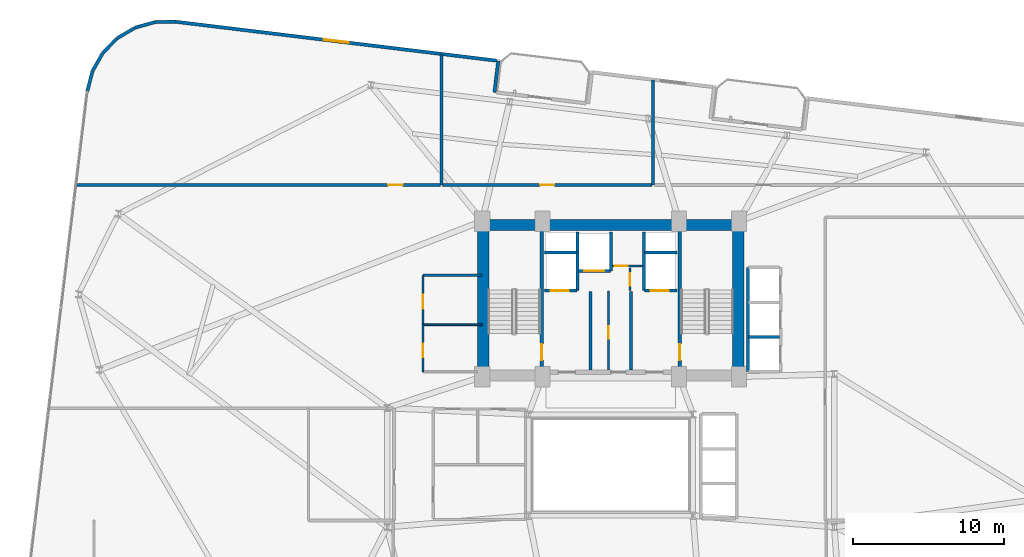
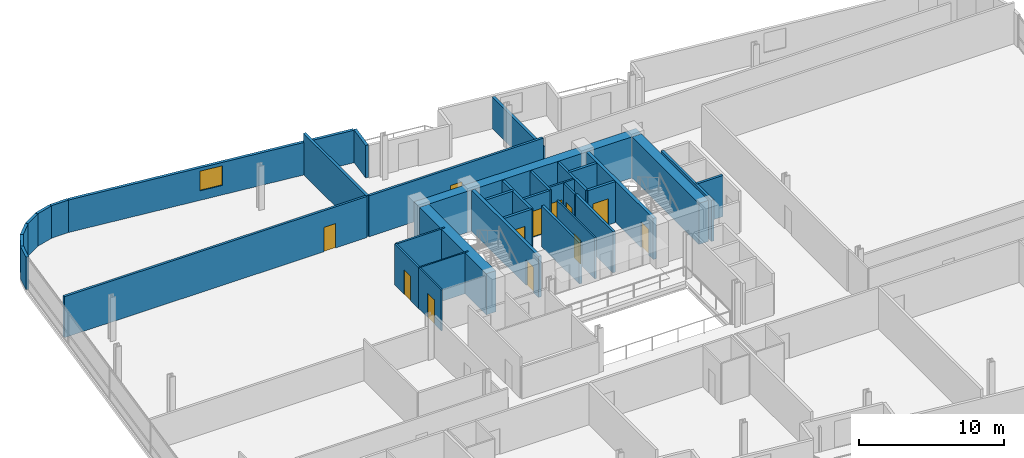
# One storey, part 22 of 25: 36 walls, 12 doors, 1 window, 13 openings.
"""IFC4 building model written with IfcOpenShell, lengths in metres."""

from ifc_helpers import new_model, si_unit, direction, frame, frame_2d, origin, place, context, subcontext, project, spatial, rectangle, extrude, material, layer, layer_set, type_object, element, fill, save


model = new_model("IFC4")

# Units and contexts
model_context = context("Model", 3, precision=1e-05, world=origin(), true_north=direction((0.0, 1.0)))
body_context = subcontext(model_context, "Body", "Model", "MODEL_VIEW")
ifc_project = project(units=[si_unit("LENGTHUNIT", "METRE"), si_unit("AREAUNIT", "SQUARE_METRE"), si_unit("VOLUMEUNIT", "CUBIC_METRE"), si_unit("PLANEANGLEUNIT", "RADIAN"), si_unit("MASSUNIT", "GRAM", prefix="KILO")], contexts=[model_context])

# Site, building, storey
site_placement = place(None, origin())
site = spatial("IfcSite", under=ifc_project, at=site_placement, CompositionType="ELEMENT")
building_placement = place(site_placement, origin())
building = spatial("IfcBuilding", under=site, at=building_placement, Name="Varnelok Gate Tower", CompositionType="ELEMENT")
storey_placement = place(building_placement, frame((0.0, 0.0, 140.199951171875)))
storey = spatial("IfcBuildingStorey", under=building, at=storey_placement, Name="L35", CompositionType="ELEMENT", Elevation=140.199951171875)

# Wall
ifc_material_1 = material(Name="Concrete C45/55", Category="concrete")
ifc_layer_1 = layer(ifc_material_1, 0.219970703125)
ifc_layer_set_1 = layer_set([ifc_layer_1], Name="Concrete C45/55")
wall_type_1 = type_object("IfcWallType", Name="EW-BALC-220", PredefinedType="SOLIDWALL", material=ifc_layer_set_1)
wall_1_placement = place(storey_placement, frame((31.50390625, 47.568115234375, 0.0), z_axis=(0.0, 0.0, 1.0), x_axis=(0.120341784665, 0.992732519294, 0.0)))
element("IfcWall", 1, at=wall_1_placement, inside=storey, type_object=wall_type_1, Name="L35 Perimeter Facade Closure Wall 31", PredefinedType="SOLIDWALL", context=body_context, shape_type="SweptSolid", body=[
    extrude(rectangle(XDim=2.099853515625, YDim=0.219970703125, at=frame_2d((1.0498046875, 0.0))), origin(), (0.0, 0.0, 1.0), 2.72998046875),
])

# Wall, opening, window
wall_2_placement = place(storey_placement, frame((31.632568359375, 49.667724609375, 0.0), z_axis=(0.0, 0.0, 1.0), x_axis=(-0.992731670483, 0.120348786531, 0.0)))
wall_2 = element("IfcWall", 2, at=wall_2_placement, inside=storey, type_object=wall_type_1, Name="L35 Perimeter Facade Closure Wall 32", PredefinedType="SOLIDWALL", context=body_context, shape_type="SweptSolid", body=[
    extrude(rectangle(XDim=21.34716796875, YDim=0.219970703125, at=frame_2d((10.673583984375, 0.0))), origin(), (0.0, 0.0, 1.0), 2.72998046875),
])
opening_1_placement = place(wall_2_placement, frame((9.8486328125, 0.0, 0.800048828125)))
opening_1 = element("IfcOpeningElement", 3, at=opening_1_placement, cuts=wall_2, Name="Opening WN3", PredefinedType="OPENING", context=body_context, shape_type="SweptSolid", body=[
    extrude(rectangle(XDim=1.64990234375, YDim=1.64990234375, at=frame_2d((0.824951171875, 0.824951171875))), frame((0.0, 0.119873046875, 0.0), z_axis=(0.0, -1.0, 0.0), x_axis=(1.0, 0.0, 0.0)), (0.0, 0.0, 1.0), 0.239990234375),
])
ifc_material_2 = material(Name="Low-E Laminated Double Glazing IGU", Category="glass")
window_type = type_object("IfcWindowType", Name="WN-HTL-1650", PartitioningType="SINGLE_PANEL", PredefinedType="WINDOW", material=ifc_material_2)
window_placement = place(opening_1_placement, origin())
window = element("IfcWindow", 4, at=window_placement, inside=storey, type_object=window_type, Name="L35 Perimeter Vision Window 32", OverallHeight=1.64990234375, OverallWidth=1.64990234375, PartitioningType="SINGLE_PANEL", PredefinedType="WINDOW", context=body_context, shape_type="SweptSolid", body=[
    extrude(rectangle(XDim=1.64990234375, YDim=1.64990234375, at=frame_2d((0.824951171875, 0.824951171875))), frame((0.0, 0.030029296875, 0.0), z_axis=(0.0, -1.0, 0.0), x_axis=(1.0, 0.0, 0.0)), (0.0, 0.0, 1.0), 0.06005859375),
])
fill(opening_1, window)

# Walls
wall_3_placement = place(storey_placement, frame((10.41552734375, 52.236572265625, 0.0), z_axis=(0.0, 0.0, 1.0), x_axis=(-0.999947718056, -0.010225514878, 0.0)))
element("IfcWall", 5, at=wall_3_placement, inside=storey, type_object=wall_type_1, Name="L35 Perimeter Facade Closure Wall 33", PredefinedType="SOLIDWALL", context=body_context, shape_type="SweptSolid", body=[
    extrude(rectangle(XDim=1.36083984375, YDim=0.219970703125, at=frame_2d((0.680419921875, 0.0))), origin(), (0.0, 0.0, 1.0), 2.72998046875),
])
for number, where, z_axis, x_axis, name in (
    (6, (9.030517578125, 52.2158203125, 0.0), (0.0, 0.0, 1.0), (-0.963227802828, -0.268686061898, 0.0), "L35 Perimeter Facade Closure Wall 34"),
    (7, (7.70556640625, 51.839599609375, 0.0), (0.0, 0.0, 1.0), (-0.860739665837, -0.509045408244, 0.0), "L35 Perimeter Facade Closure Wall 35"),
):
    element("IfcWall", number, at=place(storey_placement, frame(where, z_axis=z_axis, x_axis=x_axis)), inside=storey, type_object=wall_type_1, Name=name, PredefinedType="SOLIDWALL", context=body_context, shape_type="SweptSolid", body=[
        extrude(rectangle(XDim=1.35302734375, YDim=0.219970703125, at=frame_2d((0.676513671875, 0.0))), origin(), (0.0, 0.0, 1.0), 2.72998046875),
    ])
wall_4_placement = place(storey_placement, frame((6.5234375, 51.13330078125, 0.0), z_axis=(0.0, 0.0, 1.0), x_axis=(-0.699762925925, -0.714375144795, 0.0)))
element("IfcWall", 8, at=wall_4_placement, inside=storey, type_object=wall_type_1, Name="L35 Perimeter Facade Closure Wall 36", PredefinedType="SOLIDWALL", context=body_context, shape_type="SweptSolid", body=[
    extrude(rectangle(XDim=1.353271484375, YDim=0.219970703125, at=frame_2d((0.6767578125, 0.0))), origin(), (0.0, 0.0, 1.0), 2.72998046875),
])
wall_5_placement = place(storey_placement, frame((5.564208984375, 50.144775390625, 0.0), z_axis=(0.0, 0.0, 1.0), x_axis=(-0.491117621399, -0.871093268227, 0.0)))
element("IfcWall", 9, at=wall_5_placement, inside=storey, type_object=wall_type_1, Name="L35 Perimeter Facade Closure Wall 37", PredefinedType="SOLIDWALL", context=body_context, shape_type="SweptSolid", body=[
    extrude(rectangle(XDim=1.35302734375, YDim=0.219970703125, at=frame_2d((0.676513671875, 0.0))), origin(), (0.0, 0.0, 1.0), 2.72998046875),
])
wall_6_placement = place(storey_placement, frame((4.8935546875, 48.94189453125, 0.0), z_axis=(0.0, 0.0, 1.0), x_axis=(-0.248857256909, -0.968540172468, 0.0)))
element("IfcWall", 10, at=wall_6_placement, inside=storey, type_object=wall_type_1, Name="L35 Perimeter Facade Closure Wall 38", PredefinedType="SOLIDWALL", context=body_context, shape_type="SweptSolid", body=[
    extrude(rectangle(XDim=1.352783203125, YDim=0.219970703125, at=frame_2d((0.67626953125, 0.0))), origin(), (0.0, 0.0, 1.0), 2.72998046875),
])

# Wall, opening, door
ifc_material_3 = material(Name="Gypsum Plasterboard Acoustic Partition", Category="gypsum")
ifc_layer_2 = layer(ifc_material_3, 0.179931640625)
ifc_layer_set_2 = layer_set([ifc_layer_2], Name="Gypsum Plasterboard Acoustic Partition")
wall_type_2 = type_object("IfcWallType", Name="PW-CORR-180", PredefinedType="PARTITIONING", material=ifc_layer_set_2)
wall_7_placement = place(storey_placement, frame((3.864013671875, 41.429931640625, 0.0), z_axis=(0.0, 0.0, 1.0), x_axis=(1.0, 0.0, 0.0)))
wall_7 = element("IfcWall", 11, at=wall_7_placement, inside=storey, type_object=wall_type_2, Name="Interior Partition", PredefinedType="PARTITIONING", context=body_context, shape_type="SweptSolid", body=[
    extrude(rectangle(XDim=24.055908203125, YDim=0.179931640625, at=frame_2d((12.02783203125, 0.0))), origin(), (0.0, 0.0, 1.0), 3.449951171875),
])
opening_2_placement = place(wall_7_placement, frame((20.61083984375, 0.0, 0.0)))
opening_2 = element("IfcOpeningElement", 12, at=opening_2_placement, cuts=wall_7, Name="Opening D-I2", PredefinedType="OPENING", context=body_context, shape_type="SweptSolid", body=[
    extrude(rectangle(XDim=0.949951171875, YDim=2.050048828125, at=frame_2d((0.47509765625, 1.02490234375))), frame((0.0, 0.099853515625, 0.0), z_axis=(0.0, -1.0, 0.0), x_axis=(1.0, 0.0, 0.0)), (0.0, 0.0, 1.0), 0.199951171875),
])
ifc_material_4 = material(Name="Engineered Hardwood Timber", Category="wood")
door_type_1 = type_object("IfcDoorType", Name="DR-INT-950", OperationType="NOTDEFINED", PredefinedType="DOOR", material=ifc_material_4)
door_1_placement = place(opening_2_placement, origin())
door_1 = element("IfcDoor", 13, at=door_1_placement, inside=storey, type_object=door_type_1, Name="L35 Executive Business Office 1 Door", OperationType="SINGLE_SWING_LEFT", OverallHeight=2.050048828125, OverallWidth=0.949951171875, PredefinedType="DOOR", context=body_context, shape_type="SweptSolid", body=[
    extrude(rectangle(XDim=0.949951171875, YDim=2.050048828125, at=frame_2d((0.47509765625, 1.02490234375))), frame((0.0, 0.02490234375, 0.0), z_axis=(0.0, -1.0, 0.0), x_axis=(1.0, 0.0, 0.0)), (0.0, 0.0, 1.0), 0.050048828125),
])
fill(opening_2, door_1)

wall_8_placement = place(storey_placement, frame((28.080078125, 41.429931640625, 0.0), z_axis=(0.0, 0.0, 1.0), x_axis=(1.0, 0.0, 0.0)))
wall_8 = element("IfcWall", 14, at=wall_8_placement, inside=storey, type_object=wall_type_2, Name="Interior Partition", PredefinedType="PARTITIONING", context=body_context, shape_type="SweptSolid", body=[
    extrude(rectangle(XDim=13.83984375, YDim=0.179931640625, at=frame_2d((6.919921875, 0.0))), origin(), (0.0, 0.0, 1.0), 3.449951171875),
])
opening_3_placement = place(wall_8_placement, frame((6.445068359375, 0.0, 0.0)))
opening_3 = element("IfcOpeningElement", 15, at=opening_3_placement, cuts=wall_8, Name="Opening D-I2", PredefinedType="OPENING", context=body_context, shape_type="SweptSolid", body=[
    extrude(rectangle(XDim=0.949951171875, YDim=2.050048828125, at=frame_2d((0.47509765625, 1.02490234375))), frame((0.0, 0.099853515625, 0.0), z_axis=(0.0, -1.0, 0.0), x_axis=(1.0, 0.0, 0.0)), (0.0, 0.0, 1.0), 0.199951171875),
])
door_2_placement = place(opening_3_placement, origin())
door_2 = element("IfcDoor", 16, at=door_2_placement, inside=storey, type_object=door_type_1, Name="L35 Executive Business Office 2 Door", OperationType="SINGLE_SWING_LEFT", OverallHeight=2.050048828125, OverallWidth=0.949951171875, PredefinedType="DOOR", context=body_context, shape_type="SweptSolid", body=[
    extrude(rectangle(XDim=0.949951171875, YDim=2.050048828125, at=frame_2d((0.47509765625, 1.02490234375))), frame((0.0, 0.02490234375, 0.0), z_axis=(0.0, -1.0, 0.0), x_axis=(1.0, 0.0, 0.0)), (0.0, 0.0, 1.0), 0.050048828125),
])
fill(opening_3, door_2)

# Wall
ifc_layer_3 = layer(ifc_material_3, 0.114990234375)
ifc_layer_set_3 = layer_set([ifc_layer_3], Name="Gypsum Plasterboard Acoustic Partition")
wall_type_3 = type_object("IfcWallType", Name="PW-ENS-125", PredefinedType="PARTITIONING", material=ifc_layer_set_3)
wall_9_placement = place(storey_placement, frame((26.800048828125, 32.18994140625, 0.0), z_axis=(0.0, 0.0, 1.0), x_axis=(1.0, 0.0, 0.0)))
element("IfcWall", 17, at=wall_9_placement, inside=storey, type_object=wall_type_3, Name="Interior Partition", PredefinedType="PARTITIONING", context=body_context, shape_type="SweptSolid", body=[
    extrude(rectangle(XDim=3.8798828125, YDim=0.114990234375, at=frame_2d((1.93994140625, 0.0))), origin(), (0.0, 0.0, 1.0), 3.449951171875),
])

# Wall, opening, door
wall_10_placement = place(storey_placement, frame((26.780029296875, 29.080078125, 0.0), z_axis=(0.0, 0.0, 1.0), x_axis=(0.0, 1.0, 0.0)))
wall_10 = element("IfcWall", 18, at=wall_10_placement, inside=storey, type_object=wall_type_3, Name="Interior Partition", PredefinedType="PARTITIONING", context=body_context, shape_type="SweptSolid", body=[
    extrude(rectangle(XDim=3.10986328125, YDim=0.114990234375, at=frame_2d((1.554931640625, 0.0))), origin(), (0.0, 0.0, 1.0), 3.449951171875),
])
opening_4_placement = place(wall_10_placement, frame((0.949951171875, 0.0, 0.0)))
opening_4 = element("IfcOpeningElement", 19, at=opening_4_placement, cuts=wall_10, Name="Opening D-WC", PredefinedType="OPENING", context=body_context, shape_type="SweptSolid", body=[
    extrude(rectangle(XDim=0.89990234375, YDim=2.050048828125, at=frame_2d((0.449951171875, 1.02490234375))), frame((0.0, 0.0673828125, 0.0), z_axis=(0.0, -1.0, 0.0), x_axis=(1.0, 0.0, 0.0)), (0.0, 0.0, 1.0), 0.135009765625),
])
door_type_2 = type_object("IfcDoorType", Name="DR-BATH-900", OperationType="NOTDEFINED", PredefinedType="DOOR", material=ifc_material_4)
door_3_placement = place(opening_4_placement, origin())
door_3 = element("IfcDoor", 20, at=door_3_placement, inside=storey, type_object=door_type_2, Name="L35 Core Floor WC Door", OperationType="SINGLE_SWING_LEFT", OverallHeight=2.050048828125, OverallWidth=0.89990234375, PredefinedType="DOOR", context=body_context, shape_type="SweptSolid", body=[
    extrude(rectangle(XDim=0.89990234375, YDim=2.050048828125, at=frame_2d((0.449951171875, 1.02490234375))), frame((0.0, 0.02490234375, 0.0), z_axis=(0.0, -1.0, 0.0), x_axis=(1.0, 0.0, 0.0)), (0.0, 0.0, 1.0), 0.050048828125),
])
fill(opening_4, door_3)

ifc_layer_4 = layer(ifc_material_3, 0.125)
ifc_layer_set_4 = layer_set([ifc_layer_4], Name="Gypsum Plasterboard Acoustic Partition")
wall_type_4 = type_object("IfcWallType", Name="PW-PART-125", PredefinedType="PARTITIONING", material=ifc_layer_set_4)
wall_11_placement = place(storey_placement, frame((39.050048828125, 29.199951171875, 0.0), z_axis=(0.0, 0.0, 1.0), x_axis=(0.0, 1.0, 0.0)))
wall_11 = element("IfcWall", 21, at=wall_11_placement, inside=storey, type_object=wall_type_4, Name="Interior Partition", PredefinedType="PARTITIONING", context=body_context, shape_type="SweptSolid", body=[
    extrude(rectangle(XDim=5.219970703125, YDim=0.125, at=frame_2d((2.60986328125, 0.0))), origin(), (0.0, 0.0, 1.0), 3.449951171875),
])
opening_5_placement = place(wall_11_placement, frame((2.050048828125, 0.0, 0.0)))
opening_5 = element("IfcOpeningElement", 22, at=opening_5_placement, cuts=wall_11, Name="Opening D-RS", PredefinedType="OPENING", context=body_context, shape_type="SweptSolid", body=[
    extrude(rectangle(XDim=0.85009765625, YDim=2.050048828125, at=frame_2d((0.425048828125, 1.02490234375))), frame((0.0, 0.072509765625, 0.0), z_axis=(0.0, -1.0, 0.0), x_axis=(1.0, 0.0, 0.0)), (0.0, 0.0, 1.0), 0.14501953125),
])
ifc_material_5 = material(Name="Galvanized Steel Grade S350GD", Category="steel")
door_type_3 = type_object("IfcDoorType", Name="DR-RISER-850", OperationType="NOTDEFINED", PredefinedType="DOOR", material=ifc_material_5)
door_4_placement = place(opening_5_placement, origin())
door_4 = element("IfcDoor", 23, at=door_4_placement, inside=storey, type_object=door_type_3, Name="L35 Housekeeping Linen Door", OperationType="SINGLE_SWING_LEFT", OverallHeight=2.050048828125, OverallWidth=0.85009765625, PredefinedType="DOOR", context=body_context, shape_type="SweptSolid", body=[
    extrude(rectangle(XDim=0.85009765625, YDim=2.050048828125, at=frame_2d((0.425048828125, 1.02490234375))), frame((0.0, 0.02490234375, 0.0), z_axis=(0.0, -1.0, 0.0), x_axis=(1.0, 0.0, 0.0)), (0.0, 0.0, 1.0), 0.050048828125),
])
fill(opening_5, door_4)

ifc_layer_5 = layer(ifc_material_3, 0.14990234375)
ifc_layer_set_5 = layer_set([ifc_layer_5], Name="Gypsum Plasterboard Acoustic Partition")
wall_type_5 = type_object("IfcWallType", Name="PW-PART-150", PredefinedType="PARTITIONING", material=ifc_layer_set_5)
wall_12_placement = place(storey_placement, frame((39.300048828125, 36.080078125, 0.0), z_axis=(0.0, 0.0, 1.0), x_axis=(1.0, 0.0, 0.0)))
wall_12 = element("IfcWall", 24, at=wall_12_placement, inside=storey, type_object=wall_type_5, Name="L35 Electrical Closet South Wall", PredefinedType="PARTITIONING", context=body_context, shape_type="SweptSolid", body=[
    extrude(rectangle(XDim=2.02001953125, YDim=0.14990234375, at=frame_2d((1.010009765625, 0.0))), origin(), (0.0, 0.0, 1.0), 3.449951171875),
])
opening_6_placement = place(wall_12_placement, frame((0.179931640625, 0.0, 0.0)))
opening_6 = element("IfcOpeningElement", 25, at=opening_6_placement, cuts=wall_12, Name="Opening D-RS", PredefinedType="OPENING", context=body_context, shape_type="SweptSolid", body=[
    extrude(rectangle(XDim=0.85009765625, YDim=2.050048828125, at=frame_2d((0.425048828125, 1.02490234375))), frame((0.0, 0.0849609375, 0.0), z_axis=(0.0, -1.0, 0.0), x_axis=(1.0, 0.0, 0.0)), (0.0, 0.0, 1.0), 0.169921875),
])
door_5_placement = place(opening_6_placement, origin())
door_5 = element("IfcDoor", 26, at=door_5_placement, inside=storey, type_object=door_type_3, Name="L35 Electrical Closet Door", OperationType="SINGLE_SWING_RIGHT", OverallHeight=2.050048828125, OverallWidth=0.85009765625, PredefinedType="DOOR", context=body_context, shape_type="SweptSolid", body=[
    extrude(rectangle(XDim=0.85009765625, YDim=2.050048828125, at=frame_2d((0.425048828125, 1.02490234375))), frame((0.0, 0.02490234375, 0.0), z_axis=(0.0, -1.0, 0.0), x_axis=(1.0, 0.0, 0.0)), (0.0, 0.0, 1.0), 0.050048828125),
])
fill(opening_6, door_5)

wall_13_placement = place(storey_placement, frame((40.47998046875, 34.43994140625, 0.0), z_axis=(0.0, 0.0, 1.0), x_axis=(0.0, 1.0, 0.0)))
wall_13 = element("IfcWall", 27, at=wall_13_placement, inside=storey, type_object=wall_type_5, Name="L35 Telecoms Closet West Wall", PredefinedType="PARTITIONING", context=body_context, shape_type="SweptSolid", body=[
    extrude(rectangle(XDim=1.52001953125, YDim=0.14990234375, at=frame_2d((0.760009765625, 0.0))), origin(), (0.0, 0.0, 1.0), 3.449951171875),
])
opening_7_placement = place(wall_13_placement, frame((0.320068359375, 0.0, 0.0)))
opening_7 = element("IfcOpeningElement", 28, at=opening_7_placement, cuts=wall_13, Name="Opening D-RS", PredefinedType="OPENING", context=body_context, shape_type="SweptSolid", body=[
    extrude(rectangle(XDim=0.85009765625, YDim=2.050048828125, at=frame_2d((0.425048828125, 1.02490234375))), frame((0.0, 0.0849609375, 0.0), z_axis=(0.0, -1.0, 0.0), x_axis=(1.0, 0.0, 0.0)), (0.0, 0.0, 1.0), 0.169921875),
])
door_6_placement = place(opening_7_placement, origin())
door_6 = element("IfcDoor", 29, at=door_6_placement, inside=storey, type_object=door_type_3, Name="L35 Telecoms Closet Door", OperationType="SINGLE_SWING_LEFT", OverallHeight=2.050048828125, OverallWidth=0.85009765625, PredefinedType="DOOR", context=body_context, shape_type="SweptSolid", body=[
    extrude(rectangle(XDim=0.85009765625, YDim=2.050048828125, at=frame_2d((0.425048828125, 1.02490234375))), frame((0.0, 0.02490234375, 0.0), z_axis=(0.0, -1.0, 0.0), x_axis=(1.0, 0.0, 0.0)), (0.0, 0.0, 1.0), 0.050048828125),
])
fill(opening_7, door_6)

# Wall
wall_14_placement = place(storey_placement, frame((26.780029296875, 35.4599609375, 0.0), z_axis=(0.0, 0.0, 1.0), x_axis=(1.0, 0.0, 0.0)))
element("IfcWall", 30, at=wall_14_placement, inside=storey, type_object=wall_type_5, Name="Interior Partition", PredefinedType="PARTITIONING", context=body_context, shape_type="SweptSolid", body=[
    extrude(rectangle(XDim=3.89990234375, YDim=0.14990234375, at=frame_2d((1.949951171875, 0.0))), origin(), (0.0, 0.0, 1.0), 3.449951171875),
])

# Wall, opening, door
wall_15_placement = place(storey_placement, frame((26.780029296875, 32.18994140625, 0.0), z_axis=(0.0, 0.0, 1.0), x_axis=(0.0, 1.0, 0.0)))
wall_15 = element("IfcWall", 31, at=wall_15_placement, inside=storey, type_object=wall_type_5, Name="Interior Partition", PredefinedType="PARTITIONING", context=body_context, shape_type="SweptSolid", body=[
    extrude(rectangle(XDim=3.27001953125, YDim=0.14990234375, at=frame_2d((1.635009765625, 0.0))), origin(), (0.0, 0.0, 1.0), 3.449951171875),
])
opening_8_placement = place(wall_15_placement, frame((1.050048828125, 0.0, 0.0)))
opening_8 = element("IfcOpeningElement", 32, at=opening_8_placement, cuts=wall_15, Name="Opening D-I3", PredefinedType="OPENING", context=body_context, shape_type="SweptSolid", body=[
    extrude(rectangle(XDim=0.919921875, YDim=2.050048828125, at=frame_2d((0.4599609375, 1.02490234375))), frame((0.0, 0.0849609375, 0.0), z_axis=(0.0, -1.0, 0.0), x_axis=(1.0, 0.0, 0.0)), (0.0, 0.0, 1.0), 0.169921875),
])
door_type_4 = type_object("IfcDoorType", Name="DR-INT-920", OperationType="NOTDEFINED", PredefinedType="DOOR", material=ifc_material_4)
door_7_placement = place(opening_8_placement, origin())
door_7 = element("IfcDoor", 33, at=door_7_placement, inside=storey, type_object=door_type_4, Name="L35 Core Pantry Door", OperationType="SINGLE_SWING_RIGHT", OverallHeight=2.050048828125, OverallWidth=0.919921875, PredefinedType="DOOR", context=body_context, shape_type="SweptSolid", body=[
    extrude(rectangle(XDim=0.919921875, YDim=2.050048828125, at=frame_2d((0.4599609375, 1.02490234375))), frame((0.0, 0.02490234375, 0.0), z_axis=(0.0, -1.0, 0.0), x_axis=(1.0, 0.0, 0.0)), (0.0, 0.0, 1.0), 0.050048828125),
])
fill(opening_8, door_7)

# Walls
ifc_layer_6 = layer(ifc_material_3, 0.205078125)
ifc_layer_set_6 = layer_set([ifc_layer_6], Name="Gypsum Plasterboard Acoustic Partition")
wall_type_6 = type_object("IfcWallType", Name="PW-PARTY-200", PredefinedType="PARTITIONING", material=ifc_layer_set_6)
wall_16_placement = place(storey_placement, frame((28.0, 41.429931640625, 0.0), z_axis=(0.0, 0.0, 1.0), x_axis=(0.0, 1.0, 0.0)))
element("IfcWall", 34, at=wall_16_placement, inside=storey, type_object=wall_type_6, Name="L35 North Party Wall 1", PredefinedType="PARTITIONING", context=body_context, shape_type="SweptSolid", body=[
    extrude(rectangle(XDim=8.657958984375, YDim=0.205078125, at=frame_2d((4.3291015625, 0.0))), origin(), (0.0, 0.0, 1.0), 3.449951171875),
])
wall_17_placement = place(storey_placement, frame((42.0, 41.429931640625, 0.0), z_axis=(0.0, 0.0, 1.0), x_axis=(0.0, 1.0, 0.0)))
element("IfcWall", 35, at=wall_17_placement, inside=storey, type_object=wall_type_6, Name="L35 North Party Wall 2", PredefinedType="PARTITIONING", context=body_context, shape_type="SweptSolid", body=[
    extrude(rectangle(XDim=6.9609375, YDim=0.205078125, at=frame_2d((3.48046875, 0.0))), origin(), (0.0, 0.0, 1.0), 2.662109375),
])
ifc_material_6 = material(Name="Concrete C35/45", Category="concrete")
ifc_layer_7 = layer(ifc_material_6, 0.199951171875)
ifc_layer_set_7 = layer_set([ifc_layer_7], Name="Concrete C35/45")
wall_type_7 = type_object("IfcWallType", Name="PW-SHAFT-200", PredefinedType="PARTITIONING", material=ifc_layer_set_7)
for number, where, z_axis, x_axis, name in (
    (36, (37.860107421875, 29.199951171875, 0.0), (0.0, 0.0, 1.0), (0.0, 1.0, 0.0), "L35 West FF Lobby Rated Wall"),
    (37, (40.5400390625, 29.199951171875, 0.0), (0.0, 0.0, 1.0), (0.0, 1.0, 0.0), "L35 East FF Lobby Rated Wall"),
):
    element("IfcWall", number, at=place(storey_placement, frame(where, z_axis=z_axis, x_axis=x_axis)), inside=storey, type_object=wall_type_7, Name=name, PredefinedType="PARTITIONING", context=body_context, shape_type="SweptSolid", body=[
        extrude(rectangle(XDim=5.179931640625, YDim=0.199951171875, at=frame_2d((2.58984375, 0.0))), origin(), (0.0, 0.0, 1.0), 3.449951171875),
    ])

# Wall, opening, door
wall_18_placement = place(storey_placement, frame((34.800048828125, 34.43994140625, 0.0), z_axis=(0.0, 0.0, 1.0), x_axis=(1.0, 0.0, 0.0)))
wall_18 = element("IfcWall", 38, at=wall_18_placement, inside=storey, type_object=wall_type_7, Name="L35 FF1 Shaft Front Wall", PredefinedType="PARTITIONING", context=body_context, shape_type="SweptSolid", body=[
    extrude(rectangle(XDim=2.179931640625, YDim=0.199951171875, at=frame_2d((1.08984375, 0.0))), origin(), (0.0, 0.0, 1.0), 3.449951171875),
])
opening_9_placement = place(wall_18_placement, frame((0.419921875, 0.0, 0.0)))
opening_9 = element("IfcOpeningElement", 39, at=opening_9_placement, cuts=wall_18, Name="Opening LD-FF1", PredefinedType="OPENING", context=body_context, shape_type="SweptSolid", body=[
    extrude(rectangle(XDim=1.199951171875, YDim=2.199951171875, at=frame_2d((0.60009765625, 1.10009765625))), frame((0.0, 0.10986328125, 0.0), z_axis=(0.0, -1.0, 0.0), x_axis=(1.0, 0.0, 0.0)), (0.0, 0.0, 1.0), 0.219970703125),
])
door_type_5 = type_object("IfcDoorType", Name="DR-LIFT-FF1200", OperationType="SLIDING_TO_LEFT", PredefinedType="DOOR", material=ifc_material_5)
door_8_placement = place(opening_9_placement, origin())
door_8 = element("IfcDoor", 40, at=door_8_placement, inside=storey, type_object=door_type_5, Name="L35 Firefighting Lift Landing Door LD-FF1", OperationType="SLIDING_TO_LEFT", OverallHeight=2.199951171875, OverallWidth=1.199951171875, PredefinedType="DOOR", context=body_context, shape_type="SweptSolid", body=[
    extrude(rectangle(XDim=1.199951171875, YDim=2.199951171875, at=frame_2d((0.60009765625, 1.10009765625))), frame((0.0, 0.02490234375, 0.0), z_axis=(0.0, -1.0, 0.0), x_axis=(1.0, 0.0, 0.0)), (0.0, 0.0, 1.0), 0.050048828125),
])
fill(opening_9, door_8)

# Walls
wall_19_placement = place(storey_placement, frame((34.800048828125, 36.97998046875, 0.0), z_axis=(0.0, 0.0, 1.0), x_axis=(1.0, 0.0, 0.0)))
element("IfcWall", 41, at=wall_19_placement, inside=storey, type_object=wall_type_7, Name="L35 FF1 Shaft North Wall", PredefinedType="PARTITIONING", context=body_context, shape_type="SweptSolid", body=[
    extrude(rectangle(XDim=2.179931640625, YDim=0.199951171875, at=frame_2d((1.08984375, 0.0))), origin(), (0.0, 0.0, 1.0), 3.449951171875),
])
wall_20_placement = place(storey_placement, frame((37.0, 34.43994140625, 0.0), z_axis=(0.0, 0.0, 1.0), x_axis=(0.0, 1.0, 0.0)))
element("IfcWall", 42, at=wall_20_placement, inside=storey, type_object=wall_type_7, Name="L35 FF1 Shaft Side Wall", PredefinedType="PARTITIONING", context=body_context, shape_type="SweptSolid", body=[
    extrude(rectangle(XDim=3.900146484375, YDim=0.199951171875, at=frame_2d((1.9501953125, 0.0))), origin(), (0.0, 0.0, 1.0), 3.449951171875),
])

# Wall, opening, door
wall_21_placement = place(storey_placement, frame((41.419921875, 34.43994140625, 0.0), z_axis=(0.0, 0.0, 1.0), x_axis=(1.0, 0.0, 0.0)))
wall_21 = element("IfcWall", 43, at=wall_21_placement, inside=storey, type_object=wall_type_7, Name="L35 FF2 Shaft Front Wall", PredefinedType="PARTITIONING", context=body_context, shape_type="SweptSolid", body=[
    extrude(rectangle(XDim=2.18017578125, YDim=0.199951171875, at=frame_2d((1.090087890625, 0.0))), origin(), (0.0, 0.0, 1.0), 3.449951171875),
])
opening_10_placement = place(wall_21_placement, frame((0.419921875, 0.0, 0.0)))
opening_10 = element("IfcOpeningElement", 44, at=opening_10_placement, cuts=wall_21, Name="Opening LD-FF2", PredefinedType="OPENING", context=body_context, shape_type="SweptSolid", body=[
    extrude(rectangle(XDim=1.199951171875, YDim=2.199951171875, at=frame_2d((0.60009765625, 1.10009765625))), frame((0.0, 0.10986328125, 0.0), z_axis=(0.0, -1.0, 0.0), x_axis=(1.0, 0.0, 0.0)), (0.0, 0.0, 1.0), 0.219970703125),
])
door_9_placement = place(opening_10_placement, origin())
door_9 = element("IfcDoor", 45, at=door_9_placement, inside=storey, type_object=door_type_5, Name="L35 Firefighting Lift Landing Door LD-FF2", OperationType="SLIDING_TO_LEFT", OverallHeight=2.199951171875, OverallWidth=1.199951171875, PredefinedType="DOOR", context=body_context, shape_type="SweptSolid", body=[
    extrude(rectangle(XDim=1.199951171875, YDim=2.199951171875, at=frame_2d((0.60009765625, 1.10009765625))), frame((0.0, 0.02490234375, 0.0), z_axis=(0.0, -1.0, 0.0), x_axis=(1.0, 0.0, 0.0)), (0.0, 0.0, 1.0), 0.050048828125),
])
fill(opening_10, door_9)

# Walls
wall_22_placement = place(storey_placement, frame((41.419921875, 36.97998046875, 0.0), z_axis=(0.0, 0.0, 1.0), x_axis=(1.0, 0.0, 0.0)))
element("IfcWall", 46, at=wall_22_placement, inside=storey, type_object=wall_type_7, Name="L35 FF2 Shaft North Wall", PredefinedType="PARTITIONING", context=body_context, shape_type="SweptSolid", body=[
    extrude(rectangle(XDim=2.18017578125, YDim=0.199951171875, at=frame_2d((1.090087890625, 0.0))), origin(), (0.0, 0.0, 1.0), 3.449951171875),
])
wall_23_placement = place(storey_placement, frame((41.39990234375, 34.43994140625, 0.0), z_axis=(0.0, 0.0, 1.0), x_axis=(0.0, 1.0, 0.0)))
element("IfcWall", 47, at=wall_23_placement, inside=storey, type_object=wall_type_7, Name="L35 FF2 Shaft Side Wall", PredefinedType="PARTITIONING", context=body_context, shape_type="SweptSolid", body=[
    extrude(rectangle(XDim=3.900146484375, YDim=0.199951171875, at=frame_2d((1.9501953125, 0.0))), origin(), (0.0, 0.0, 1.0), 3.449951171875),
])

# Wall, opening, door
wall_24_placement = place(storey_placement, frame((37.06005859375, 35.75, 0.0), z_axis=(0.0, 0.0, 1.0), x_axis=(1.0, 0.0, 0.0)))
wall_24 = element("IfcWall", 48, at=wall_24_placement, inside=storey, type_object=wall_type_7, Name="L35 SV1 Shaft Front Wall", PredefinedType="PARTITIONING", context=body_context, shape_type="SweptSolid", body=[
    extrude(rectangle(XDim=2.119873046875, YDim=0.199951171875, at=frame_2d((1.06005859375, 0.0))), origin(), (0.0, 0.0, 1.0), 3.449951171875),
])
opening_11_placement = place(wall_24_placement, frame((0.39990234375, 0.0, 0.0)))
opening_11 = element("IfcOpeningElement", 49, at=opening_11_placement, cuts=wall_24, Name="Opening LD-SV1", PredefinedType="OPENING", context=body_context, shape_type="SweptSolid", body=[
    extrude(rectangle(XDim=1.300048828125, YDim=2.199951171875, at=frame_2d((0.64990234375, 1.10009765625))), frame((0.0, 0.10986328125, 0.0), z_axis=(0.0, -1.0, 0.0), x_axis=(1.0, 0.0, 0.0)), (0.0, 0.0, 1.0), 0.219970703125),
])
door_type_6 = type_object("IfcDoorType", Name="DR-LIFT-SV1300", OperationType="SLIDING_TO_LEFT", PredefinedType="DOOR", material=ifc_material_5)
door_10_placement = place(opening_11_placement, origin())
door_10 = element("IfcDoor", 50, at=door_10_placement, inside=storey, type_object=door_type_6, Name="L35 Service Lift Landing Door LD-SV1", OperationType="SLIDING_TO_LEFT", OverallHeight=2.199951171875, OverallWidth=1.300048828125, PredefinedType="DOOR", context=body_context, shape_type="SweptSolid", body=[
    extrude(rectangle(XDim=1.300048828125, YDim=2.199951171875, at=frame_2d((0.64990234375, 1.10009765625))), frame((0.0, 0.02490234375, 0.0), z_axis=(0.0, -1.0, 0.0), x_axis=(1.0, 0.0, 0.0)), (0.0, 0.0, 1.0), 0.050048828125),
])
fill(opening_11, door_10)

# Walls
wall_25_placement = place(storey_placement, frame((39.219970703125, 35.75, 0.0), z_axis=(0.0, 0.0, 1.0), x_axis=(0.0, 1.0, 0.0)))
element("IfcWall", 51, at=wall_25_placement, inside=storey, type_object=wall_type_7, Name="L35 SV1 Shaft East Wall", PredefinedType="PARTITIONING", context=body_context, shape_type="SweptSolid", body=[
    extrude(rectangle(XDim=2.590087890625, YDim=0.199951171875, at=frame_2d((1.294921875, 0.0))), origin(), (0.0, 0.0, 1.0), 3.449951171875),
])
wall_26_placement = place(storey_placement, frame((48.320068359375, 31.375, 0.0), z_axis=(0.0, 0.0, 1.0), x_axis=(1.0, 0.0, 0.0)))
element("IfcWall", 52, at=wall_26_placement, inside=storey, type_object=wall_type_7, Name="L35 PM1 Divider", PredefinedType="PARTITIONING", context=body_context, shape_type="SweptSolid", body=[
    extrude(rectangle(XDim=2.059814453125, YDim=0.199951171875, at=frame_2d((1.02978515625, 0.0))), origin(), (0.0, 0.0, 1.0), 3.449951171875),
])
wall_27_placement = place(storey_placement, frame((48.280029296875, 29.080078125, 0.0), z_axis=(0.0, 0.0, 1.0), x_axis=(0.0, 1.0, 0.0)))
element("IfcWall", 53, at=wall_27_placement, inside=storey, type_object=wall_type_7, Name="L35 PM Bank Back Wall", PredefinedType="PARTITIONING", context=body_context, shape_type="SweptSolid", body=[
    extrude(rectangle(XDim=6.889892578125, YDim=0.199951171875, at=frame_2d((3.44482421875, 0.0))), origin(), (0.0, 0.0, 1.0), 3.449951171875),
])
ifc_material_7 = material(Name="Concrete C70/85", Category="concrete")
ifc_layer_8 = layer(ifc_material_7, 0.75)
ifc_layer_set_8 = layer_set([ifc_layer_8], Name="Concrete C70/85")
wall_type_8 = type_object("IfcWallType", Name="SW-CORE-750", PredefinedType="SHEAR", material=ifc_layer_set_8)
wall_28_placement = place(storey_placement, frame((30.3798828125, 38.794921875, 0.0), z_axis=(0.0, 0.0, 1.0), x_axis=(1.0, 0.0, 0.0)))
element("IfcWall", 54, at=wall_28_placement, inside=storey, type_object=wall_type_8, Name="L35 Rear Core North Shear Wall", PredefinedType="SHEAR", context=body_context, shape_type="SweptSolid", body=[
    extrude(rectangle(XDim=17.64013671875, YDim=0.75, at=frame_2d((8.820068359375, 0.0))), origin(), (0.0, 0.0, 1.0), 3.449951171875),
])
for number, where, z_axis, x_axis, name in (
    (55, (30.7548828125, 29.199951171875, 0.0), (0.0, 0.0, 1.0), (0.0, 1.0, 0.0), "L35 Rear Core West Shear Wall"),
    (56, (47.64501953125, 29.199951171875, 0.0), (0.0, 0.0, 1.0), (0.0, 1.0, 0.0), "L35 Rear Core East Shear Wall"),
):
    element("IfcWall", number, at=place(storey_placement, frame(where, z_axis=z_axis, x_axis=x_axis)), inside=storey, type_object=wall_type_8, Name=name, PredefinedType="SHEAR", context=body_context, shape_type="SweptSolid", body=[
        extrude(rectangle(XDim=9.219970703125, YDim=0.75, at=frame_2d((4.60986328125, 0.0))), origin(), (0.0, 0.0, 1.0), 3.449951171875),
    ])

# Wall, opening, door
ifc_material_8 = material(Name="Concrete C60/75", Category="concrete")
ifc_layer_9 = layer(ifc_material_8, 0.25)
ifc_layer_set_9 = layer_set([ifc_layer_9], Name="Concrete C60/75")
wall_type_9 = type_object("IfcWallType", Name="SW-SHAFT-250", PredefinedType="SHEAR", material=ifc_layer_set_9)
wall_29_placement = place(storey_placement, frame((34.639892578125, 29.199951171875, 0.0), z_axis=(0.0, 0.0, 1.0), x_axis=(0.0, 1.0, 0.0)))
wall_29 = element("IfcWall", 57, at=wall_29_placement, inside=storey, type_object=wall_type_9, Name="L35 Stair ST-1 East Shear Wall", PredefinedType="SHEAR", context=body_context, shape_type="SweptSolid", body=[
    extrude(rectangle(XDim=9.219970703125, YDim=0.25, at=frame_2d((4.60986328125, 0.0))), origin(), (0.0, 0.0, 1.0), 3.449951171875),
])
opening_12_placement = place(wall_29_placement, frame((0.64990234375, 0.0, 0.0)))
opening_12 = element("IfcOpeningElement", 58, at=opening_12_placement, cuts=wall_29, Name="Opening D-ST", PredefinedType="OPENING", context=body_context, shape_type="SweptSolid", body=[
    extrude(rectangle(XDim=1.050048828125, YDim=2.14990234375, at=frame_2d((0.52490234375, 1.074951171875))), frame((0.0, 0.135009765625, 0.0), z_axis=(0.0, -1.0, 0.0), x_axis=(1.0, 0.0, 0.0)), (0.0, 0.0, 1.0), 0.27001953125),
])
door_type_7 = type_object("IfcDoorType", Name="DR-STAIR-1050", OperationType="NOTDEFINED", PredefinedType="DOOR", material=ifc_material_5)
door_11_placement = place(opening_12_placement, origin())
door_11 = element("IfcDoor", 59, at=door_11_placement, inside=storey, type_object=door_type_7, Name="L35 Exit Stair ST-1 Fire Door", OperationType="SINGLE_SWING_LEFT", OverallHeight=2.14990234375, OverallWidth=1.050048828125, PredefinedType="DOOR", context=body_context, shape_type="SweptSolid", body=[
    extrude(rectangle(XDim=1.050048828125, YDim=2.14990234375, at=frame_2d((0.52490234375, 1.074951171875))), frame((0.0, 0.02490234375, 0.0), z_axis=(0.0, -1.0, 0.0), x_axis=(1.0, 0.0, 0.0)), (0.0, 0.0, 1.0), 0.050048828125),
])
fill(opening_12, door_11)

wall_30_placement = place(storey_placement, frame((43.760009765625, 29.199951171875, 0.0), z_axis=(0.0, 0.0, 1.0), x_axis=(0.0, 1.0, 0.0)))
wall_30 = element("IfcWall", 60, at=wall_30_placement, inside=storey, type_object=wall_type_9, Name="L35 Stair ST-2 West Shear Wall", PredefinedType="SHEAR", context=body_context, shape_type="SweptSolid", body=[
    extrude(rectangle(XDim=9.219970703125, YDim=0.25, at=frame_2d((4.60986328125, 0.0))), origin(), (0.0, 0.0, 1.0), 3.449951171875),
])
opening_13_placement = place(wall_30_placement, frame((0.64990234375, 0.0, 0.0)))
opening_13 = element("IfcOpeningElement", 61, at=opening_13_placement, cuts=wall_30, Name="Opening D-ST", PredefinedType="OPENING", context=body_context, shape_type="SweptSolid", body=[
    extrude(rectangle(XDim=1.050048828125, YDim=2.14990234375, at=frame_2d((0.52490234375, 1.074951171875))), frame((0.0, 0.135009765625, 0.0), z_axis=(0.0, -1.0, 0.0), x_axis=(1.0, 0.0, 0.0)), (0.0, 0.0, 1.0), 0.27001953125),
])
door_12_placement = place(opening_13_placement, origin())
door_12 = element("IfcDoor", 62, at=door_12_placement, inside=storey, type_object=door_type_7, Name="L35 Exit Stair ST-2 Fire Door", OperationType="SINGLE_SWING_RIGHT", OverallHeight=2.14990234375, OverallWidth=1.050048828125, PredefinedType="DOOR", context=body_context, shape_type="SweptSolid", body=[
    extrude(rectangle(XDim=1.050048828125, YDim=2.14990234375, at=frame_2d((0.52490234375, 1.074951171875))), frame((0.0, 0.02490234375, 0.0), z_axis=(0.0, -1.0, 0.0), x_axis=(1.0, 0.0, 0.0)), (0.0, 0.0, 1.0), 0.050048828125),
])
fill(opening_13, door_12)

save(model, "model.ifc")
